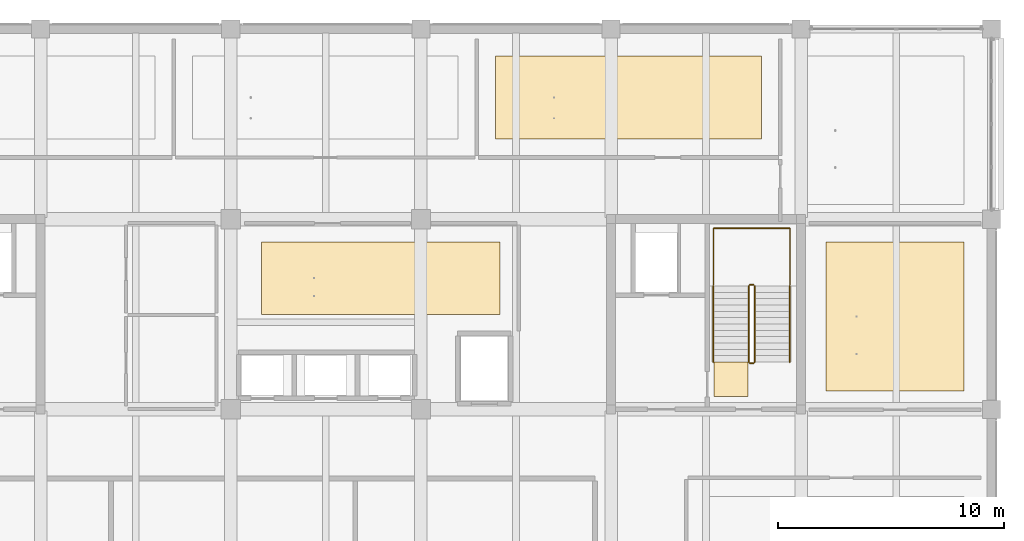
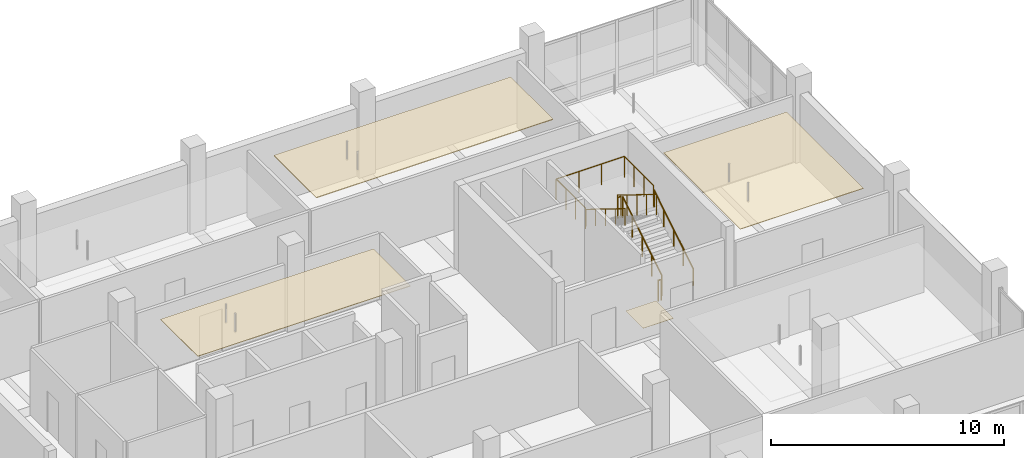
# One storey, part 30 of 35: 7 railings, 4 coverings.
"""IFC4 building model written with IfcOpenShell, lengths in metres."""

from ifc_helpers import new_model, si_unit, direction, frame, origin, origin_2d, place, context, subcontext, project, spatial, polyline, circle, outline, extrude, material, layer, layer_set, type_object, element, save


model = new_model("IFC4")

# Units and contexts
model_context = context("Model", 3, precision=1e-05, world=origin(), true_north=direction((0.0, 1.0)))
body_context = subcontext(model_context, "Body", "Model", "MODEL_VIEW")
ifc_project = project(units=[si_unit("LENGTHUNIT", "METRE"), si_unit("AREAUNIT", "SQUARE_METRE"), si_unit("VOLUMEUNIT", "CUBIC_METRE"), si_unit("PLANEANGLEUNIT", "RADIAN"), si_unit("MASSUNIT", "GRAM", prefix="KILO")], contexts=[model_context])

# Site, building, storey
site_placement = place(None, origin())
site = spatial("IfcSite", under=ifc_project, at=site_placement, CompositionType="ELEMENT")
building_placement = place(site_placement, origin())
building = spatial("IfcBuilding", under=site, at=building_placement, Name="Telukmera Botanical Conservatory", CompositionType="ELEMENT")
storey_placement = place(building_placement, frame((0.0, 0.0, 28.5)))
storey = spatial("IfcBuildingStorey", under=building, at=storey_placement, Name="L06", CompositionType="ELEMENT", Elevation=28.5)

# Coverings
ifc_material_1 = material(Name="Mineral fibre acoustic ceiling")
ifc_layer_1 = layer(ifc_material_1, 0.030029296875)
ifc_layer_set_1 = layer_set([ifc_layer_1], Name="Mineral fibre acoustic ceiling")
covering_type_1 = type_object("IfcCoveringType", Name="COV-CEIL-30", PredefinedType="CEILING", material=ifc_layer_set_1)
covering_1_placement = place(storey_placement, frame((0.0, 0.0, 3.320068359375)))
element("IfcCovering", 1, at=covering_1_placement, inside=storey, type_object=covering_type_1, Name="L06 Botanical Archive Conservation Room Suspended Acoustic Ceiling", PredefinedType="CEILING", context=body_context, shape_type="SweptSolid", body=[
    extrude(outline(polyline([(76.949951171875, 30.199951171875), (87.5, 30.199951171875), (87.5, 33.39990234375), (76.949951171875, 33.39990234375), (76.949951171875, 30.199951171875)])), origin(), (0.0, 0.0, 1.0), 0.030029296875),
])
covering_2_placement = place(storey_placement, frame((0.0, 0.0, 3.320068359375)))
element("IfcCovering", 2, at=covering_2_placement, inside=storey, type_object=covering_type_1, Name="L06 Ethnobotany Voucher Studio Suspended Acoustic Ceiling", PredefinedType="CEILING", context=body_context, shape_type="SweptSolid", body=[
    extrude(outline(polyline([(101.89990234375, 26.800048828125), (108.0, 26.800048828125), (108.0, 33.39990234375), (101.89990234375, 33.39990234375), (101.89990234375, 26.800048828125)])), origin(), (0.0, 0.0, 1.0), 0.030029296875),
])
ifc_material_2 = material(Name="Perforated gypsum acoustic ceiling")
ifc_layer_2 = layer(ifc_material_2, 0.0400390625)
ifc_layer_set_2 = layer_set([ifc_layer_2], Name="Perforated gypsum acoustic ceiling")
covering_type_2 = type_object("IfcCoveringType", Name="COV-CEIL-40", PredefinedType="CEILING", material=ifc_layer_set_2)
covering_3_placement = place(storey_placement, frame((0.0, 0.0, 3.31005859375)))
element("IfcCovering", 3, at=covering_3_placement, inside=storey, type_object=covering_type_2, Name="L06 Historical Herbarium Archive Studio Suspended Acoustic Ceiling", PredefinedType="CEILING", context=body_context, shape_type="SweptSolid", body=[
    extrude(outline(polyline([(87.300048828125, 37.949951171875), (99.050048828125, 37.949951171875), (99.050048828125, 41.60009765625), (87.300048828125, 41.60009765625), (87.300048828125, 37.949951171875)])), origin(), (0.0, 0.0, 1.0), 0.0400390625),
])
ifc_material_3 = material(Name="Honed granite non-slip flooring", Category="masonry")
ifc_layer_3 = layer(ifc_material_3, 0.011962890625)
ifc_layer_set_3 = layer_set([ifc_layer_3], Name="Honed granite non-slip flooring")
covering_type_3 = type_object("IfcCoveringType", Name="COV-FLR-12", PredefinedType="FLOORING", material=ifc_layer_set_3)
covering_4_placement = place(storey_placement, origin())
element("IfcCovering", 4, at=covering_4_placement, inside=storey, type_object=covering_type_3, Name="L06 ST2 Non-Slip Stair Landing Finish", PredefinedType="FLOORING", context=body_context, shape_type="SweptSolid", body=[
    extrude(outline(polyline([(98.449951171875, 26.570068359375), (98.449951171875, 28.0849609375), (96.949951171875, 28.0849609375), (96.949951171875, 26.570068359375), (98.449951171875, 26.570068359375)])), origin(), (0.0, 0.0, 1.0), 0.011962890625),
])

# Railings
ifc_material_4 = material(Name="Steel S355", Category="steel")
railing_type_1 = type_object("IfcRailingType", Name="RL-GUARD-1100", PredefinedType="GUARDRAIL", material=ifc_material_4)
railing_1_placement = place(storey_placement, frame((98.739990234375, 28.090087890625, 0.173095703125)))
element("IfcRailing", 5, at=railing_1_placement, inside=storey, type_object=railing_type_1, Name="L06 ST2 stair guard 1", PredefinedType="GUARDRAIL", context=body_context, shape_type="SweptSolid", body=[
    extrude(circle(Radius=0.02392578125, at=origin_2d()), frame((0.0, 0.0, 1.076171875), z_axis=(0.0, 0.850606129759, 0.525803396734), x_axis=(-1.0, 0.0, 0.0)), (0.0, 0.0, 1.0), 3.949951171875),
    extrude(circle(Radius=0.02099609375, at=origin_2d()), origin(), (0.0, 0.0, 1.0), 1.052001953125),
    extrude(circle(Radius=0.02099609375, at=origin_2d()), frame((0.0, 0.83984375, 0.519287109375)), (0.0, 0.0, 1.0), 1.052001953125),
    extrude(circle(Radius=0.02099609375, at=origin_2d()), frame((0.0, 1.679931640625, 1.03857421875)), (0.0, 0.0, 1.0), 1.052001953125),
    extrude(circle(Radius=0.02099609375, at=origin_2d()), frame((0.0, 2.52001953125, 1.5576171875)), (0.0, 0.0, 1.0), 1.052001953125),
    extrude(circle(Radius=0.02099609375, at=origin_2d()), frame((0.0, 3.35986328125, 2.076904296875)), (0.0, 0.0, 1.0), 1.052001953125),
])
railing_2_placement = place(storey_placement, frame((98.68994140625, 31.5, 2.25)))
element("IfcRailing", 6, at=railing_2_placement, inside=storey, type_object=railing_type_1, Name="L06 ST2 stair guard 2", PredefinedType="GUARDRAIL", context=body_context, shape_type="SweptSolid", body=[
    extrude(circle(Radius=0.02392578125, at=origin_2d()), frame((0.0, 0.0, 1.076171875), z_axis=(-1.0, 0.0, 0.0), x_axis=(0.0, -1.0, 0.0)), (0.0, 0.0, 1.0), 0.159912109375),
    extrude(circle(Radius=0.02099609375, at=origin_2d()), origin(), (0.0, 0.0, 1.0), 1.052001953125),
    extrude(circle(Radius=0.02099609375, at=origin_2d()), frame((-0.159912109375, 0.0, 0.0)), (0.0, 0.0, 1.0), 1.052001953125),
])
railing_3_placement = place(storey_placement, frame((98.47998046875, 31.449951171875, 2.423095703125)))
element("IfcRailing", 7, at=railing_3_placement, inside=storey, type_object=railing_type_1, Name="L06 ST2 stair guard 3", PredefinedType="GUARDRAIL", context=body_context, shape_type="SweptSolid", body=[
    extrude(circle(Radius=0.02392578125, at=origin_2d()), frame((0.0, 0.0, 1.076171875), z_axis=(0.0, -0.850606129759, 0.525803396734), x_axis=(1.0, 0.0, 0.0)), (0.0, 0.0, 1.0), 3.949951171875),
    extrude(circle(Radius=0.02099609375, at=origin_2d()), origin(), (0.0, 0.0, 1.0), 1.052001953125),
    extrude(circle(Radius=0.02099609375, at=origin_2d()), frame((0.0, -0.83984375, 0.519287109375)), (0.0, 0.0, 1.0), 1.052001953125),
    extrude(circle(Radius=0.02099609375, at=origin_2d()), frame((0.0, -1.679931640625, 1.03857421875)), (0.0, 0.0, 1.0), 1.052001953125),
    extrude(circle(Radius=0.02099609375, at=origin_2d()), frame((0.0, -2.52001953125, 1.5576171875)), (0.0, 0.0, 1.0), 1.052001953125),
    extrude(circle(Radius=0.02099609375, at=origin_2d()), frame((0.0, -3.35986328125, 2.076904296875)), (0.0, 0.0, 1.0), 1.052001953125),
])
railing_4_placement = place(storey_placement, frame((98.68994140625, 28.0400390625, 0.0)))
element("IfcRailing", 8, at=railing_4_placement, inside=storey, type_object=railing_type_1, Name="L06 ST2 stair guard 4", PredefinedType="GUARDRAIL", context=body_context, shape_type="SweptSolid", body=[
    extrude(circle(Radius=0.02392578125, at=origin_2d()), frame((0.0, 0.0, 1.076171875), z_axis=(-1.0, 0.0, 0.0), x_axis=(0.0, -1.0, 0.0)), (0.0, 0.0, 1.0), 0.159912109375),
    extrude(circle(Radius=0.02099609375, at=origin_2d()), origin(), (0.0, 0.0, 1.0), 1.052001953125),
    extrude(circle(Radius=0.02099609375, at=origin_2d()), frame((-0.159912109375, 0.0, 0.0)), (0.0, 0.0, 1.0), 1.052001953125),
])
railing_5_placement = place(storey_placement, frame((100.300048828125, 31.5, 2.25)))
element("IfcRailing", 9, at=railing_5_placement, inside=storey, type_object=railing_type_1, Name="L06 ST2 half-landing perimeter guard 1", PredefinedType="GUARDRAIL", context=body_context, shape_type="SweptSolid", body=[
    extrude(circle(Radius=0.02392578125, at=origin_2d()), frame((0.0, 0.0, 1.09619140625), z_axis=(0.0, 1.0, 0.0), x_axis=(-1.0, 0.0, 0.0)), (0.0, 0.0, 1.0), 2.5),
    extrude(circle(Radius=0.02392578125, at=origin_2d()), frame((0.0, 2.5, 1.09619140625), z_axis=(-1.0, 0.0, 0.0), x_axis=(0.0, -1.0, 0.0)), (0.0, 0.0, 1.0), 3.380126953125),
    extrude(circle(Radius=0.02392578125, at=origin_2d()), frame((-3.380126953125, 2.5, 1.09619140625), z_axis=(0.0, -1.0, 0.0), x_axis=(1.0, 0.0, 0.0)), (0.0, 0.0, 1.0), 2.5),
    extrude(circle(Radius=0.02099609375, at=origin_2d()), origin(), (0.0, 0.0, 1.0), 1.072021484375),
    extrude(circle(Radius=0.02099609375, at=origin_2d()), frame((0.0, 0.833251953125, 0.0)), (0.0, 0.0, 1.0), 1.072021484375),
    extrude(circle(Radius=0.02099609375, at=origin_2d()), frame((0.0, 1.666748046875, 0.0)), (0.0, 0.0, 1.0), 1.072021484375),
    extrude(circle(Radius=0.02099609375, at=origin_2d()), frame((0.0, 2.5, 0.0)), (0.0, 0.0, 1.0), 1.072021484375),
    extrude(circle(Radius=0.02099609375, at=origin_2d()), frame((-1.126708984375, 2.5, 0.0)), (0.0, 0.0, 1.0), 1.072021484375),
    extrude(circle(Radius=0.02099609375, at=origin_2d()), frame((-2.25341796875, 2.5, 0.0)), (0.0, 0.0, 1.0), 1.072021484375),
    extrude(circle(Radius=0.02099609375, at=origin_2d()), frame((-3.380126953125, 2.5, 0.0)), (0.0, 0.0, 1.0), 1.072021484375),
    extrude(circle(Radius=0.02099609375, at=origin_2d()), frame((-3.380126953125, 1.666748046875, 0.0)), (0.0, 0.0, 1.0), 1.072021484375),
    extrude(circle(Radius=0.02099609375, at=origin_2d()), frame((-3.380126953125, 0.833251953125, 0.0)), (0.0, 0.0, 1.0), 1.072021484375),
    extrude(circle(Radius=0.02099609375, at=origin_2d()), frame((-3.380126953125, 0.0, 0.0)), (0.0, 0.0, 1.0), 1.072021484375),
])
ifc_material_5 = material(Name="Stainless steel 316", Category="steel")
railing_type_2 = type_object("IfcRailingType", Name="RL-HAND-900", PredefinedType="HANDRAIL", material=ifc_material_5)
railing_6_placement = place(storey_placement, frame((100.300048828125, 28.090087890625, 0.173095703125)))
element("IfcRailing", 10, at=railing_6_placement, inside=storey, type_object=railing_type_2, Name="L06 ST2 stair handrail 1", PredefinedType="HANDRAIL", context=body_context, shape_type="SweptSolid", body=[
    extrude(circle(Radius=0.02392578125, at=origin_2d()), frame((0.0, 0.0, 0.8759765625), z_axis=(0.0, 0.850606129759, 0.525803396734), x_axis=(-1.0, 0.0, 0.0)), (0.0, 0.0, 1.0), 3.949951171875),
    extrude(circle(Radius=0.02099609375, at=origin_2d()), origin(), (0.0, 0.0, 1.0), 0.851806640625),
    extrude(circle(Radius=0.02099609375, at=origin_2d()), frame((0.0, 0.83984375, 0.519287109375)), (0.0, 0.0, 1.0), 0.851806640625),
    extrude(circle(Radius=0.02099609375, at=origin_2d()), frame((0.0, 1.679931640625, 1.03857421875)), (0.0, 0.0, 1.0), 0.851806640625),
    extrude(circle(Radius=0.02099609375, at=origin_2d()), frame((0.0, 2.52001953125, 1.5576171875)), (0.0, 0.0, 1.0), 0.851806640625),
    extrude(circle(Radius=0.02099609375, at=origin_2d()), frame((0.0, 3.35986328125, 2.076904296875)), (0.0, 0.0, 1.0), 0.851806640625),
])
railing_7_placement = place(storey_placement, frame((96.919921875, 31.449951171875, 2.423095703125)))
element("IfcRailing", 11, at=railing_7_placement, inside=storey, type_object=railing_type_2, Name="L06 ST2 stair handrail 2", PredefinedType="HANDRAIL", context=body_context, shape_type="SweptSolid", body=[
    extrude(circle(Radius=0.02392578125, at=origin_2d()), frame((0.0, 0.0, 0.8759765625), z_axis=(0.0, -0.850606129759, 0.525803396734), x_axis=(1.0, 0.0, 0.0)), (0.0, 0.0, 1.0), 3.949951171875),
    extrude(circle(Radius=0.02099609375, at=origin_2d()), origin(), (0.0, 0.0, 1.0), 0.851806640625),
    extrude(circle(Radius=0.02099609375, at=origin_2d()), frame((0.0, -0.83984375, 0.519287109375)), (0.0, 0.0, 1.0), 0.851806640625),
    extrude(circle(Radius=0.02099609375, at=origin_2d()), frame((0.0, -1.679931640625, 1.03857421875)), (0.0, 0.0, 1.0), 0.851806640625),
    extrude(circle(Radius=0.02099609375, at=origin_2d()), frame((0.0, -2.52001953125, 1.5576171875)), (0.0, 0.0, 1.0), 0.851806640625),
    extrude(circle(Radius=0.02099609375, at=origin_2d()), frame((0.0, -3.35986328125, 2.076904296875)), (0.0, 0.0, 1.0), 0.851806640625),
])

save(model, "model.ifc")
